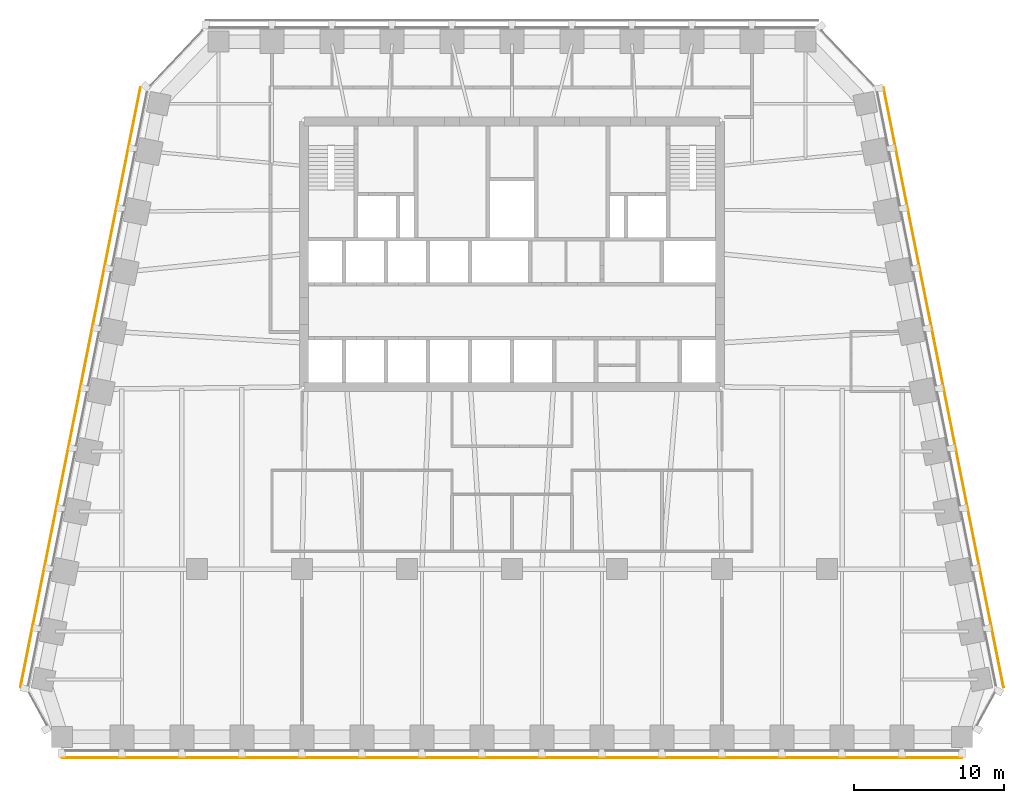
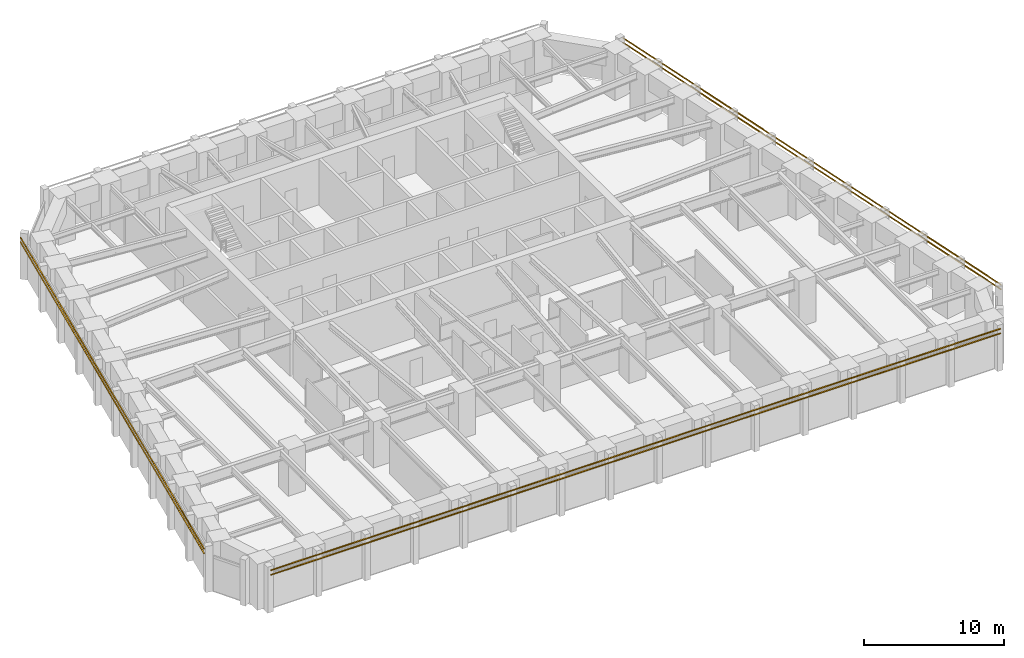
# One storey, part 9 of 10: 6 shading devices.
"""IFC4 building model written with IfcOpenShell, lengths in metres."""

from ifc_helpers import new_model, si_unit, direction, frame, origin, origin_2d, place, context, subcontext, project, spatial, rectangle, extrude, material, material_profile, profile_set, type_object, element, save


model = new_model("IFC4")

# Units and contexts
model_context = context("Model", 3, precision=1e-05, world=origin(), true_north=direction((0.0, 1.0)))
body_context = subcontext(model_context, "Body", "Model", "MODEL_VIEW")
ifc_project = project(units=[si_unit("LENGTHUNIT", "METRE"), si_unit("AREAUNIT", "SQUARE_METRE"), si_unit("VOLUMEUNIT", "CUBIC_METRE"), si_unit("PLANEANGLEUNIT", "RADIAN"), si_unit("MASSUNIT", "GRAM", prefix="KILO")], contexts=[model_context])

# Site, building, storey
site_placement = place(None, origin())
site = spatial("IfcSite", under=ifc_project, at=site_placement, CompositionType="ELEMENT")
building_placement = place(site_placement, origin())
building = spatial("IfcBuilding", under=site, at=building_placement, Name="Isbrekke Arena Tower", CompositionType="ELEMENT")
storey_placement = place(building_placement, frame((0.0, 0.0, 182.0)))
storey = spatial("IfcBuildingStorey", under=building, at=storey_placement, Name="L41", CompositionType="ELEMENT", Elevation=182.0)

# Shading devices
ifc_material = material(Name="Terracotta", Category="masonry")
ifc_material_profile = material_profile(ifc_material, rectangle(XDim=0.06005859375, YDim=0.06005859375, at=origin_2d()), Name="BAGUETTE 60X60")
ifc_profile_set = profile_set([ifc_material_profile], Name="Terracotta")
shading_device_type = type_object("IfcShadingDeviceType", Name="BG1 TERRACOTTA BAGUETTE 60 x 60", PredefinedType="USERDEFINED", material=ifc_profile_set)
for number, where, z_axis, x_axis, name in (
    (1, (-30.0, -18.580078125, 3.280029296875), (1.0, 0.0, 0.0), (0.0, 1.0, 0.0), "BG1 terracotta baguette S1 L41"),
    (2, (-30.0, -18.580078125, 3.679931640625), (1.0, 0.0, 0.0), (0.0, 1.0, 0.0), "BG1 terracotta baguette S2 L41"),
):
    element("IfcShadingDevice", number, at=place(storey_placement, frame(where, z_axis=z_axis, x_axis=x_axis)), inside=storey, type_object=shading_device_type, Name=name, ObjectType="TERRACOTTA BAGUETTE", PredefinedType="USERDEFINED", context=body_context, shape_type="SweptSolid", body=[
        extrude(rectangle(XDim=0.06005859375, YDim=0.06005859375, at=origin_2d()), origin(), (0.0, 0.0, 1.0), 60.0),
    ])
for number, where, z_axis, x_axis, name in (
    (3, (32.768798828125, -13.88623046875, 3.280029296875), (-0.196116135138, 0.980580675691, 0.0), (-0.980580675691, -0.196116135138, 0.0), "BG1 terracotta baguette E1 L41"),
    (4, (32.768798828125, -13.88623046875, 3.679931640625), (-0.196116135138, 0.980580675691, 0.0), (-0.980580675691, -0.196116135138, 0.0), "BG1 terracotta baguette E2 L41"),
    (5, (-24.768798828125, 26.11376953125, 3.280029296875), (-0.196116135138, -0.980580675691, 0.0), (0.980580675691, -0.196116135138, 0.0), "BG1 terracotta baguette W1 L41"),
    (6, (-24.768798828125, 26.11376953125, 3.679931640625), (-0.196116135138, -0.980580675691, 0.0), (0.980580675691, -0.196116135138, 0.0), "BG1 terracotta baguette W2 L41"),
):
    element("IfcShadingDevice", number, at=place(storey_placement, frame(where, z_axis=z_axis, x_axis=x_axis)), inside=storey, type_object=shading_device_type, Name=name, ObjectType="TERRACOTTA BAGUETTE", PredefinedType="USERDEFINED", context=body_context, shape_type="SweptSolid", body=[
        extrude(rectangle(XDim=0.06005859375, YDim=0.06005859375, at=origin_2d()), origin(), (0.0, 0.0, 1.0), 40.792236328125),
    ])

save(model, "model.ifc")
